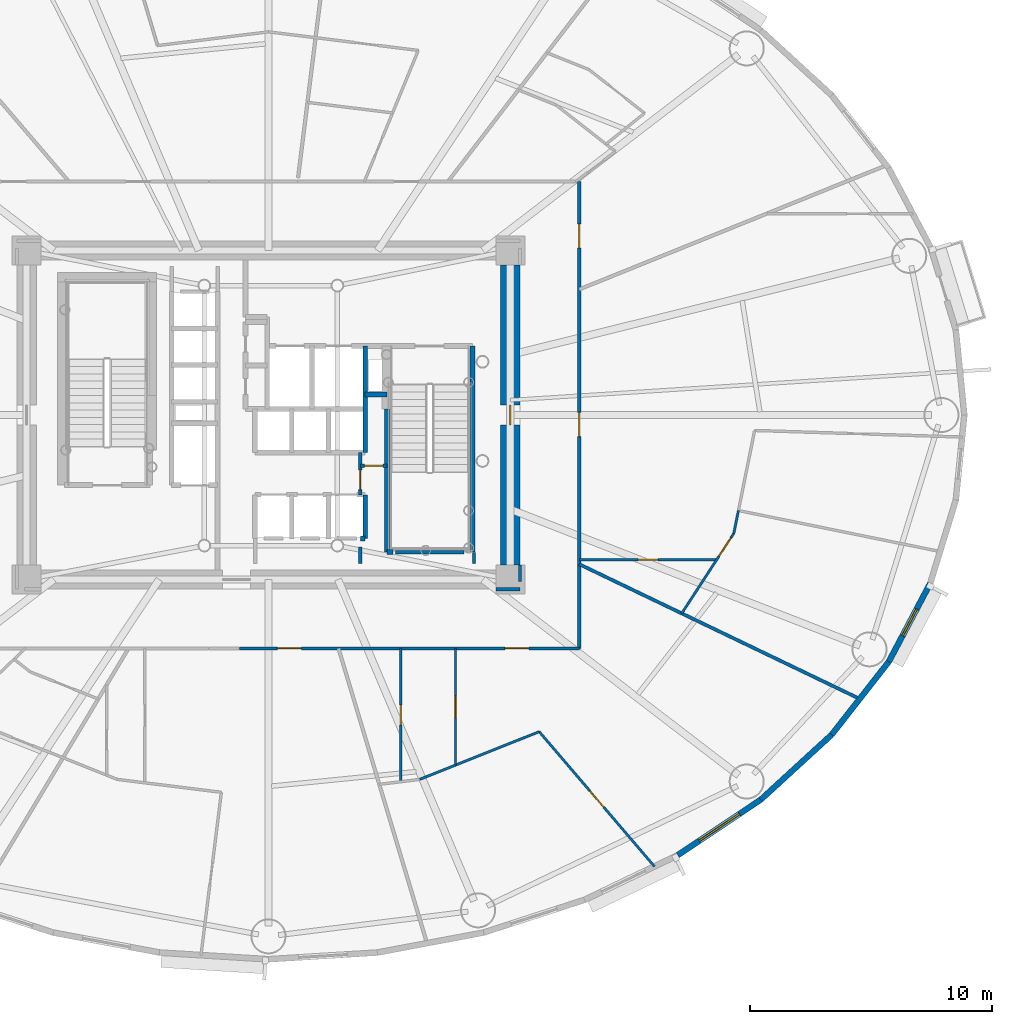
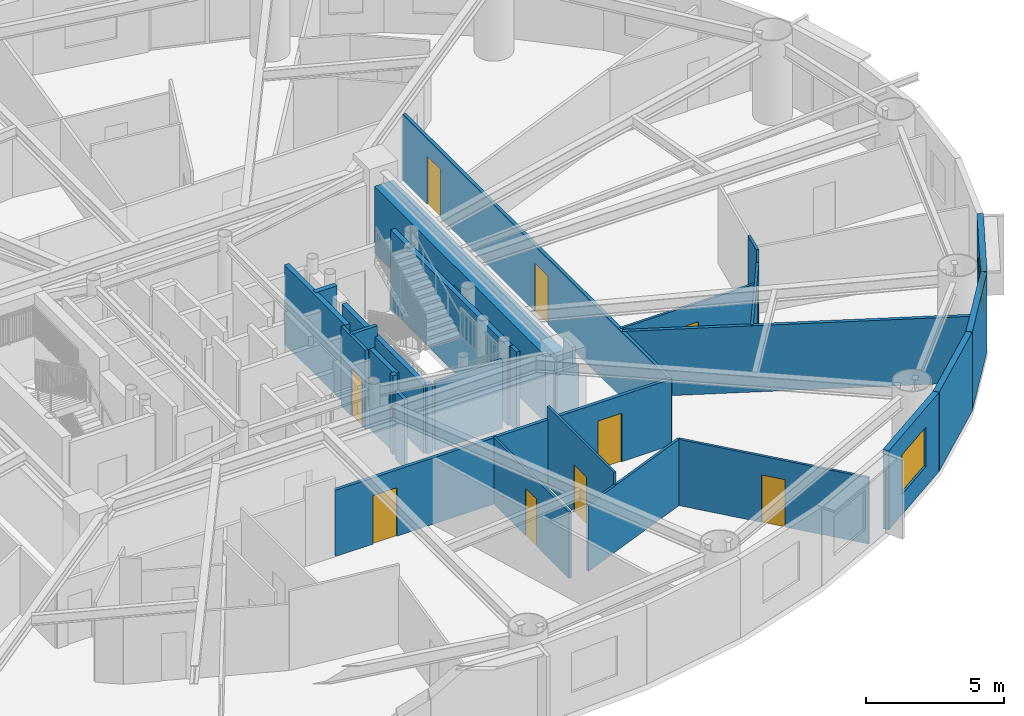
# One storey, part 9 of 18: 29 walls, 12 doors, 2 windows, 14 openings.
"""IFC4 building model written with IfcOpenShell, lengths in metres."""

from ifc_helpers import new_model, si_unit, direction, frame, frame_2d, origin, origin_2d, place, context, subcontext, project, spatial, rectangle, extrude, source, transform, mapped, material, layer, layer_set, type_object, element, fill, save


model = new_model("IFC4")

# Units and contexts
model_context = context("Model", 3, precision=1e-05, world=origin(), true_north=direction((0.0, 1.0)))
body_context = subcontext(model_context, "Body", "Model", "MODEL_VIEW")
ifc_project = project(units=[si_unit("LENGTHUNIT", "METRE"), si_unit("AREAUNIT", "SQUARE_METRE"), si_unit("VOLUMEUNIT", "CUBIC_METRE"), si_unit("PLANEANGLEUNIT", "RADIAN"), si_unit("MASSUNIT", "GRAM", prefix="KILO")], contexts=[model_context])

# Site, building, storey
site_placement = place(None, origin())
site = spatial("IfcSite", under=ifc_project, at=site_placement, CompositionType="ELEMENT")
building_placement = place(site_placement, origin())
building = spatial("IfcBuilding", under=site, at=building_placement, Name="Linh Dai School and Residence Tower", CompositionType="ELEMENT")
storey_placement = place(building_placement, frame((0.0, 0.0, 100.949951171875)))
storey = spatial("IfcBuildingStorey", under=building, at=storey_placement, Name="L23", CompositionType="ELEMENT", Elevation=100.949951171875)

# Wall, opening, window
ifc_material_1 = material(Name="Precast Concrete B45 (C35/45)", Category="concrete")
ifc_layer_1 = layer(ifc_material_1, 0.239990234375)
ifc_layer_set_1 = layer_set([ifc_layer_1], Name="Precast Concrete B45 (C35/45)")
wall_type_1 = type_object("IfcWallType", Name="EW-TC-240", PredefinedType="SOLIDWALL", material=ifc_layer_set_1)
wall_1_placement = place(storey_placement, frame((56.3583984375, 11.0966796875, 0.0), z_axis=(0.0, 0.0, 1.0), x_axis=(-0.831221811447, -0.555940914284, 0.0)))
wall_1 = element("IfcWall", 1, at=wall_1_placement, inside=storey, type_object=wall_type_1, Name="L23 Terracotta Exterior Wall 35", PredefinedType="SOLIDWALL", context=body_context, shape_type="SweptSolid", body=[
    extrude(rectangle(XDim=4.130126953125, YDim=0.239990234375, at=frame_2d((2.06494140625, 0.0))), origin(), (0.0, 0.0, 1.0), 3.5),
])
opening_1_placement = place(wall_1_placement, frame((1.065185546875, 0.0, 0.89990234375)))
opening_1 = element("IfcOpeningElement", 2, at=opening_1_placement, cuts=wall_1, Name="Opening W1", PredefinedType="OPENING", context=body_context, shape_type="SweptSolid", body=[
    extrude(rectangle(XDim=2.0, YDim=1.75, at=origin_2d()), frame((1.0, 0.1298828125, 0.875), z_axis=(0.0, -1.0, 0.0), x_axis=(1.0, 0.0, 0.0)), (0.0, 0.0, 1.0), 0.260009765625),
])
ifc_material_2 = material(Name="Double Low-E Insulated Glazing", Category="glass")
window_type_1 = type_object("IfcWindowType", Name="WN-RES-2000x1750", PartitioningType="DOUBLE_PANEL_VERTICAL", PredefinedType="WINDOW", material=ifc_material_2)
shared_shape_1 = source(origin(), body_context, "Body", "SweptSolid", [
    extrude(rectangle(XDim=2.0, YDim=1.75, at=origin_2d()), frame((1.0, 0.030029296875, 0.875), z_axis=(0.0, -1.0, 0.0), x_axis=(1.0, 0.0, 0.0)), (0.0, 0.0, 1.0), 0.06005859375),
])
window_1_placement = place(opening_1_placement, origin())
window_1 = element("IfcWindow", 3, at=window_1_placement, inside=storey, type_object=window_type_1, Name="L23 Exterior Window 35.1", OverallHeight=1.75, OverallWidth=2.0, PartitioningType="DOUBLE_PANEL_VERTICAL", PredefinedType="WINDOW", context=body_context, shape_type="MappedRepresentation", body=[
    mapped(shared_shape_1, transform((0.0, 0.0, 0.0), x_axis=(1.0, 0.0, 0.0), y_axis=(0.0, 1.0, 0.0), z_axis=(0.0, 0.0, 1.0), scale=1.0)),
])
fill(opening_1, window_1)

# Walls
wall_2_placement = place(storey_placement, frame((59.2890625, 13.783447265625, 0.0), z_axis=(0.0, 0.0, 1.0), x_axis=(-0.737113356241, -0.675769117414, 0.0)))
element("IfcWall", 4, at=wall_2_placement, inside=storey, type_object=wall_type_1, Name="L23 Terracotta Exterior Wall 36", PredefinedType="SOLIDWALL", context=body_context, shape_type="SweptSolid", body=[
    extrude(rectangle(XDim=3.975830078125, YDim=0.239990234375, at=frame_2d((1.98779296875, 0.0))), origin(), (0.0, 0.0, 1.0), 3.5),
])
wall_3_placement = place(storey_placement, frame((61.645263671875, 16.79443359375, 0.0), z_axis=(0.0, 0.0, 1.0), x_axis=(-0.616272103517, -0.787533297345, 0.0)))
element("IfcWall", 5, at=wall_3_placement, inside=storey, type_object=wall_type_1, Name="L23 Terracotta Exterior Wall 37", PredefinedType="SOLIDWALL", context=body_context, shape_type="SweptSolid", body=[
    extrude(rectangle(XDim=3.8232421875, YDim=0.239990234375, at=frame_2d((1.91162109375, 0.0))), origin(), (0.0, 0.0, 1.0), 3.5),
])

# Wall, opening, window
wall_4_placement = place(storey_placement, frame((63.3701171875, 20.054931640625, 0.0), z_axis=(0.0, 0.0, 1.0), x_axis=(-0.467614004126, -0.883932770716, 0.0)))
wall_4 = element("IfcWall", 6, at=wall_4_placement, inside=storey, type_object=wall_type_1, Name="L23 Terracotta Exterior Wall 38", PredefinedType="SOLIDWALL", context=body_context, shape_type="SweptSolid", body=[
    extrude(rectangle(XDim=3.688720703125, YDim=0.239990234375, at=frame_2d((1.84423828125, 0.0))), origin(), (0.0, 0.0, 1.0), 3.5),
])
opening_2_placement = place(wall_4_placement, frame((1.21923828125, 0.0, 0.89990234375)))
opening_2 = element("IfcOpeningElement", 7, at=opening_2_placement, cuts=wall_4, Name="Opening W3", PredefinedType="OPENING", context=body_context, shape_type="SweptSolid", body=[
    extrude(rectangle(XDim=1.25, YDim=1.64990234375, at=origin_2d()), frame((0.625, 0.1298828125, 0.824951171875), z_axis=(0.0, -1.0, 0.0), x_axis=(1.0, 0.0, 0.0)), (0.0, 0.0, 1.0), 0.260009765625),
])
window_type_2 = type_object("IfcWindowType", Name="WN-RES-1250x1650", PartitioningType="SINGLE_PANEL", PredefinedType="WINDOW", material=ifc_material_2)
shared_shape_2 = source(origin(), body_context, "Body", "SweptSolid", [
    extrude(rectangle(XDim=1.25, YDim=1.64990234375, at=origin_2d()), frame((0.625, 0.030029296875, 0.824951171875), z_axis=(0.0, -1.0, 0.0), x_axis=(1.0, 0.0, 0.0)), (0.0, 0.0, 1.0), 0.06005859375),
])
window_2_placement = place(opening_2_placement, origin())
window_2 = element("IfcWindow", 8, at=window_2_placement, inside=storey, type_object=window_type_2, Name="L23 Dwelling Window U2309-BD1", OverallHeight=1.64990234375, OverallWidth=1.25, PartitioningType="SINGLE_PANEL", PredefinedType="WINDOW", context=body_context, shape_type="MappedRepresentation", body=[
    mapped(shared_shape_2, transform((0.0, 0.0, 0.0), x_axis=(1.0, 0.0, 0.0), y_axis=(0.0, 1.0, 0.0), z_axis=(0.0, 0.0, 1.0), scale=1.0)),
])
fill(opening_2, window_2)

# Wall, openings, doors
ifc_material_3 = material(Name="Autoclaved Aerated Concrete Blockwork", Category="masonry")
ifc_layer_2 = layer(ifc_material_3, 0.135009765625)
ifc_layer_set_2 = layer_set([ifc_layer_2], Name="Autoclaved Aerated Concrete Blockwork")
wall_type_2 = type_object("IfcWallType", Name="IW-CORR-135-EI90", PredefinedType="PARTITIONING", material=ifc_layer_set_2)
wall_5_placement = place(storey_placement, frame((34.794921875, 17.35009765625, 0.0), z_axis=(0.0, 0.0, 1.0), x_axis=(1.0, 0.0, 0.0)))
wall_5 = element("IfcWall", 9, at=wall_5_placement, inside=storey, type_object=wall_type_2, Name="L23 Interior Partition Wall 041", PredefinedType="PARTITIONING", context=body_context, shape_type="SweptSolid", body=[
    extrude(rectangle(XDim=14.05517578125, YDim=0.135009765625, at=frame_2d((7.027587890625, 0.0))), origin(), (0.0, 0.0, 1.0), 2.93505859375),
])
opening_3_placement = place(wall_5_placement, frame((1.570556640625, 0.0, 0.0)))
opening_3 = element("IfcOpeningElement", 10, at=opening_3_placement, cuts=wall_5, Name="Opening D03", PredefinedType="OPENING", context=body_context, shape_type="SweptSolid", body=[
    extrude(rectangle(XDim=1.0, YDim=2.14990234375, at=origin_2d()), frame((0.5, 0.07763671875, 1.074951171875), z_axis=(0.0, -1.0, 0.0), x_axis=(1.0, 0.0, 0.0)), (0.0, 0.0, 1.0), 0.155029296875),
])
opening_4_placement = place(wall_5_placement, frame((10.97607421875, 0.0, 0.0)))
opening_4 = element("IfcOpeningElement", 11, at=opening_4_placement, cuts=wall_5, Name="Opening D03", PredefinedType="OPENING", context=body_context, shape_type="SweptSolid", body=[
    extrude(rectangle(XDim=1.0, YDim=2.14990234375, at=origin_2d()), frame((0.5, 0.07763671875, 1.074951171875), z_axis=(0.0, -1.0, 0.0), x_axis=(1.0, 0.0, 0.0)), (0.0, 0.0, 1.0), 0.155029296875),
])
ifc_material_4 = material(Name="Fire-Rated Solid Timber Entrance Door", Category="wood")
door_type_1 = type_object("IfcDoorType", Name="DR-FLAT-1000x2150-FD60S", OperationType="NOTDEFINED", PredefinedType="DOOR", material=ifc_material_4)
shared_shape_3 = source(origin(), body_context, "Body", "SweptSolid", [
    extrude(rectangle(XDim=1.0, YDim=2.14990234375, at=origin_2d()), frame((0.5, 0.02490234375, 1.074951171875), z_axis=(0.0, -1.0, 0.0), x_axis=(1.0, 0.0, 0.0)), (0.0, 0.0, 1.0), 0.050048828125),
])
door_1_placement = place(opening_3_placement, origin())
door_1 = element("IfcDoor", 12, at=door_1_placement, inside=storey, type_object=door_type_1, Name="L23 U2307 Apartment Entrance Door", OperationType="SINGLE_SWING_LEFT", OverallHeight=2.14990234375, OverallWidth=1.0, PredefinedType="DOOR", context=body_context, shape_type="MappedRepresentation", body=[
    mapped(shared_shape_3, transform((0.0, 0.0, 0.0), x_axis=(1.0, 0.0, 0.0), y_axis=(0.0, 1.0, 0.0), z_axis=(0.0, 0.0, 1.0), scale=1.0)),
])
fill(opening_3, door_1)
door_2_placement = place(opening_4_placement, origin())
door_2 = element("IfcDoor", 13, at=door_2_placement, inside=storey, type_object=door_type_1, Name="L23 U2308 Apartment Entrance Door", OperationType="SINGLE_SWING_LEFT", OverallHeight=2.14990234375, OverallWidth=1.0, PredefinedType="DOOR", context=body_context, shape_type="MappedRepresentation", body=[
    mapped(shared_shape_3, transform((0.0, 0.0, 0.0), x_axis=(1.0, 0.0, 0.0), y_axis=(0.0, 1.0, 0.0), z_axis=(0.0, 0.0, 1.0), scale=1.0)),
])
fill(opening_4, door_2)

# Wall, opening, door
wall_6_placement = place(storey_placement, frame((39.800048828125, 23.699951171875, 0.0), z_axis=(0.0, 0.0, 1.0), x_axis=(0.0, 1.0, 0.0)))
wall_6 = element("IfcWall", 14, at=wall_6_placement, inside=storey, type_object=wall_type_2, Name="L23 Interior Partition Wall 065", PredefinedType="PARTITIONING", context=body_context, shape_type="SweptSolid", body=[
    extrude(rectangle(XDim=1.75, YDim=0.135009765625, at=frame_2d((0.875, 0.0))), origin(), (0.0, 0.0, 1.0), 3.5),
])
opening_5_placement = place(wall_6_placement, frame((0.2099609375, 0.0, 0.0)))
opening_5 = element("IfcOpeningElement", 15, at=opening_5_placement, cuts=wall_6, Name="Opening D06", PredefinedType="OPENING", context=body_context, shape_type="SweptSolid", body=[
    extrude(rectangle(XDim=0.820068359375, YDim=2.10009765625, at=origin_2d()), frame((0.41015625, 0.07763671875, 1.050048828125), z_axis=(0.0, -1.0, 0.0), x_axis=(1.0, 0.0, 0.0)), (0.0, 0.0, 1.0), 0.155029296875),
])
ifc_material_5 = material(Name="Moisture-Resistant Timber Bathroom Door", Category="wood")
door_type_2 = type_object("IfcDoorType", Name="DR-WET-820x2100", OperationType="NOTDEFINED", PredefinedType="DOOR", material=ifc_material_5)
shared_shape_4 = source(origin(), body_context, "Body", "SweptSolid", [
    extrude(rectangle(XDim=0.820068359375, YDim=2.10009765625, at=origin_2d()), frame((0.41015625, 0.02490234375, 1.050048828125), z_axis=(0.0, -1.0, 0.0), x_axis=(1.0, 0.0, 0.0)), (0.0, 0.0, 1.0), 0.050048828125),
])
door_3_placement = place(opening_5_placement, origin())
door_3 = element("IfcDoor", 16, at=door_3_placement, inside=storey, type_object=door_type_2, Name="L23 SE Metering Closet Door", OperationType="SINGLE_SWING_RIGHT", OverallHeight=2.10009765625, OverallWidth=0.820068359375, PredefinedType="DOOR", context=body_context, shape_type="MappedRepresentation", body=[
    mapped(shared_shape_4, transform((0.0, 0.0, 0.0), x_axis=(1.0, 0.0, 0.0), y_axis=(0.0, 1.0, 0.0), z_axis=(0.0, 0.0, 1.0), scale=1.0)),
])
fill(opening_5, door_3)

# Wall, openings, doors
wall_7_placement = place(storey_placement, frame((48.85009765625, 17.35009765625, 0.0), z_axis=(0.0, 0.0, 1.0), x_axis=(0.0, 1.0, 0.0)))
wall_7 = element("IfcWall", 17, at=wall_7_placement, inside=storey, type_object=wall_type_2, Name="L23 Interior Partition Wall 084", PredefinedType="PARTITIONING", context=body_context, shape_type="SweptSolid", body=[
    extrude(rectangle(XDim=19.2998046875, YDim=0.135009765625, at=frame_2d((9.64990234375, 0.0))), origin(), (0.0, 0.0, 1.0), 2.93505859375),
])
opening_6_placement = place(wall_7_placement, frame((16.55078125, 0.0, 0.0)))
opening_6 = element("IfcOpeningElement", 18, at=opening_6_placement, cuts=wall_7, Name="Opening D03", PredefinedType="OPENING", context=body_context, shape_type="SweptSolid", body=[
    extrude(rectangle(XDim=1.0, YDim=2.14990234375, at=origin_2d()), frame((0.5, 0.07763671875, 1.074951171875), z_axis=(0.0, -1.0, 0.0), x_axis=(1.0, 0.0, 0.0)), (0.0, 0.0, 1.0), 0.155029296875),
])
opening_7_placement = place(wall_7_placement, frame((8.752685546875, 0.0, 0.0)))
opening_7 = element("IfcOpeningElement", 19, at=opening_7_placement, cuts=wall_7, Name="Opening D03", PredefinedType="OPENING", context=body_context, shape_type="SweptSolid", body=[
    extrude(rectangle(XDim=1.0, YDim=2.14990234375, at=origin_2d()), frame((0.5, 0.07763671875, 1.074951171875), z_axis=(0.0, -1.0, 0.0), x_axis=(1.0, 0.0, 0.0)), (0.0, 0.0, 1.0), 0.155029296875),
])
door_4_placement = place(opening_6_placement, origin())
door_4 = element("IfcDoor", 20, at=door_4_placement, inside=storey, type_object=door_type_1, Name="L23 U2301 Apartment Entrance Door", OperationType="SINGLE_SWING_RIGHT", OverallHeight=2.14990234375, OverallWidth=1.0, PredefinedType="DOOR", context=body_context, shape_type="MappedRepresentation", body=[
    mapped(shared_shape_3, transform((0.0, 0.0, 0.0), x_axis=(1.0, 0.0, 0.0), y_axis=(0.0, 1.0, 0.0), z_axis=(0.0, 0.0, 1.0), scale=1.0)),
])
fill(opening_6, door_4)
door_5_placement = place(opening_7_placement, origin())
door_5 = element("IfcDoor", 21, at=door_5_placement, inside=storey, type_object=door_type_1, Name="L23 U2309 Apartment Entrance Door", OperationType="SINGLE_SWING_LEFT", OverallHeight=2.14990234375, OverallWidth=1.0, PredefinedType="DOOR", context=body_context, shape_type="MappedRepresentation", body=[
    mapped(shared_shape_3, transform((0.0, 0.0, 0.0), x_axis=(1.0, 0.0, 0.0), y_axis=(0.0, 1.0, 0.0), z_axis=(0.0, 0.0, 1.0), scale=1.0)),
])
fill(opening_7, door_5)

# Walls
wall_8_placement = place(storey_placement, frame((48.85009765625, 20.830322265625, 0.0), z_axis=(0.0, 0.0, 1.0), x_axis=(0.901472427533, -0.432836530803, 0.0)))
element("IfcWall", 22, at=wall_8_placement, inside=storey, type_object=wall_type_2, Name="L23 Interior Partition Wall 085", PredefinedType="PARTITIONING", context=body_context, shape_type="SweptSolid", body=[
    extrude(rectangle(XDim=12.86865234375, YDim=0.135009765625, at=frame_2d((6.434326171875, 0.0))), origin(), (0.0, 0.0, 1.0), 2.93505859375),
])
wall_9_placement = place(storey_placement, frame((44.080078125, 21.330078125, 0.0), z_axis=(0.0, 0.0, 1.0), x_axis=(-1.0, 0.0, 0.0)))
element("IfcWall", 23, at=wall_9_placement, inside=storey, type_object=wall_type_2, Name="L23 Interior Partition Wall 096", PredefinedType="PARTITIONING", context=body_context, shape_type="SweptSolid", body=[
    extrude(rectangle(XDim=2.820068359375, YDim=0.135009765625, at=frame_2d((1.41015625, 0.0))), origin(), (0.0, 0.0, 1.0), 3.03515625),
])
wall_10_placement = place(storey_placement, frame((39.800048828125, 20.860107421875, 0.0), z_axis=(0.0, 0.0, 1.0), x_axis=(0.0, 1.0, 0.0)))
element("IfcWall", 24, at=wall_10_placement, inside=storey, type_object=wall_type_2, Name="L23 Interior Partition Wall 101", PredefinedType="PARTITIONING", context=body_context, shape_type="SweptSolid", body=[
    extrude(rectangle(XDim=0.679931640625, YDim=0.135009765625, at=frame_2d((0.33984375, 0.0))), origin(), (0.0, 0.0, 1.0), 3.03515625),
])
wall_11_placement = place(storey_placement, frame((44.5, 20.860107421875, 0.0), z_axis=(0.0, 0.0, 1.0), x_axis=(0.0, 1.0, 0.0)))
element("IfcWall", 25, at=wall_11_placement, inside=storey, type_object=wall_type_2, Name="L23 Interior Partition Wall 103", PredefinedType="PARTITIONING", context=body_context, shape_type="SweptSolid", body=[
    extrude(rectangle(XDim=0.4599609375, YDim=0.135009765625, at=frame_2d((0.22998046875, 0.0))), origin(), (0.0, 0.0, 1.0), 3.5),
])
wall_12_placement = place(storey_placement, frame((45.409912109375, 19.800048828125, 0.0), z_axis=(0.0, 0.0, 1.0), x_axis=(1.0, 0.0, 0.0)))
element("IfcWall", 26, at=wall_12_placement, inside=storey, type_object=wall_type_2, Name="L23 Interior Partition Wall 113", PredefinedType="PARTITIONING", context=body_context, shape_type="SweptSolid", body=[
    extrude(rectangle(XDim=0.989990234375, YDim=0.135009765625, at=frame_2d((0.4951171875, 0.0))), origin(), (0.0, 0.0, 1.0), 2.93505859375),
])
wall_13_placement = place(storey_placement, frame((46.39990234375, 20.107421875, 0.0), z_axis=(0.0, 0.0, 1.0), x_axis=(0.0, 1.0, 0.0)))
element("IfcWall", 27, at=wall_13_placement, inside=storey, type_object=wall_type_2, Name="L23 Interior Partition Wall 114", PredefinedType="PARTITIONING", context=body_context, shape_type="SweptSolid", body=[
    extrude(rectangle(XDim=0.6826171875, YDim=0.135009765625, at=frame_2d((0.34130859375, 0.0))), origin(), (0.0, 0.0, 1.0), 3.5),
])

# Wall, opening, door
ifc_layer_3 = layer(ifc_material_3, 0.14990234375)
ifc_layer_set_3 = layer_set([ifc_layer_3], Name="Autoclaved Aerated Concrete Blockwork")
wall_type_3 = type_object("IfcWallType", Name="IW-SCH-150-EI60", PredefinedType="PARTITIONING", material=ifc_layer_set_3)
wall_14_placement = place(storey_placement, frame((39.800048828125, 24.89990234375, 0.0), z_axis=(0.0, 0.0, 1.0), x_axis=(1.0, 0.0, 0.0)))
wall_14 = element("IfcWall", 28, at=wall_14_placement, inside=storey, type_object=wall_type_3, Name="L23 Interior Partition Wall 066", PredefinedType="PARTITIONING", context=body_context, shape_type="SweptSolid", body=[
    extrude(rectangle(XDim=1.099853515625, YDim=0.14990234375, at=frame_2d((0.5498046875, 0.0))), origin(), (0.0, 0.0, 1.0), 3.5),
])
opening_8_placement = place(wall_14_placement, frame((0.169921875, 0.0, 0.0)))
opening_8 = element("IfcOpeningElement", 29, at=opening_8_placement, cuts=wall_14, Name="Opening D08", PredefinedType="OPENING", context=body_context, shape_type="SweptSolid", body=[
    extrude(rectangle(XDim=0.760009765625, YDim=2.10009765625, at=origin_2d()), frame((0.3798828125, 0.0849609375, 1.050048828125), z_axis=(0.0, -1.0, 0.0), x_axis=(1.0, 0.0, 0.0)), (0.0, 0.0, 1.0), 0.169921875),
])
ifc_material_6 = material(Name="Engineered Timber Closet and Study Door", Category="wood")
door_type_3 = type_object("IfcDoorType", Name="DR-CMP-760x2100", OperationType="NOTDEFINED", PredefinedType="DOOR", material=ifc_material_6)
shared_shape_5 = source(origin(), body_context, "Body", "SweptSolid", [
    extrude(rectangle(XDim=0.760009765625, YDim=2.10009765625, at=origin_2d()), frame((0.3798828125, 0.02490234375, 1.050048828125), z_axis=(0.0, -1.0, 0.0), x_axis=(1.0, 0.0, 0.0)), (0.0, 0.0, 1.0), 0.050048828125),
])
door_6_placement = place(opening_8_placement, origin())
door_6 = element("IfcDoor", 30, at=door_6_placement, inside=storey, type_object=door_type_3, Name="L23 NE Cleaners Store Door", OperationType="SINGLE_SWING_LEFT", OverallHeight=2.10009765625, OverallWidth=0.760009765625, PredefinedType="DOOR", context=body_context, shape_type="MappedRepresentation", body=[
    mapped(shared_shape_5, transform((0.0, 0.0, 0.0), x_axis=(1.0, 0.0, 0.0), y_axis=(0.0, 1.0, 0.0), z_axis=(0.0, 0.0, 1.0), scale=1.0)),
])
fill(opening_8, door_6)

# Walls
ifc_material_7 = material(Name="Concrete B45 (C35/45)", Category="concrete")
ifc_layer_4 = layer(ifc_material_7, 0.199951171875)
ifc_layer_set_4 = layer_set([ifc_layer_4], Name="Concrete B45 (C35/45)")
wall_type_4 = type_object("IfcWallType", Name="IW-SHAFT-200-EI120", PredefinedType="PARTITIONING", material=ifc_layer_set_4)
wall_15_placement = place(storey_placement, frame((39.800048828125, 21.89990234375, 0.0), z_axis=(0.0, 0.0, 1.0), x_axis=(1.0, 0.0, 0.0)))
element("IfcWall", 31, at=wall_15_placement, inside=storey, type_object=wall_type_4, Name="L23 Interior Partition Wall 064", PredefinedType="PARTITIONING", context=body_context, shape_type="SweptSolid", body=[
    extrude(rectangle(XDim=0.199951171875, YDim=0.199951171875, at=frame_2d((0.10009765625, 0.0))), origin(), (0.0, 0.0, 1.0), 3.5),
])
wall_16_placement = place(storey_placement, frame((40.0, 21.89990234375, 0.0), z_axis=(0.0, 0.0, 1.0), x_axis=(0.0, 1.0, 0.0)))
element("IfcWall", 32, at=wall_16_placement, inside=storey, type_object=wall_type_4, Name="L23 Interior Partition Wall 068", PredefinedType="PARTITIONING", context=body_context, shape_type="SweptSolid", body=[
    extrude(rectangle(XDim=1.800048828125, YDim=0.199951171875, at=frame_2d((0.89990234375, 0.0))), origin(), (0.0, 0.0, 1.0), 3.5),
])
wall_17_placement = place(storey_placement, frame((40.0, 25.449951171875, 0.0), z_axis=(0.0, 0.0, 1.0), x_axis=(0.0, 1.0, 0.0)))
element("IfcWall", 33, at=wall_17_placement, inside=storey, type_object=wall_type_4, Name="L23 Interior Partition Wall 069", PredefinedType="PARTITIONING", context=body_context, shape_type="SweptSolid", body=[
    extrude(rectangle(XDim=4.400146484375, YDim=0.199951171875, at=frame_2d((2.2001953125, 0.0))), origin(), (0.0, 0.0, 1.0), 3.5),
])
wall_18_placement = place(storey_placement, frame((40.0, 27.85009765625, 0.0), z_axis=(0.0, 0.0, 1.0), x_axis=(1.0, 0.0, 0.0)))
element("IfcWall", 34, at=wall_18_placement, inside=storey, type_object=wall_type_4, Name="L23 Interior Partition Wall 070", PredefinedType="PARTITIONING", context=body_context, shape_type="SweptSolid", body=[
    extrude(rectangle(XDim=0.89990234375, YDim=0.199951171875, at=frame_2d((0.449951171875, 0.0))), origin(), (0.0, 0.0, 1.0), 3.5),
])
wall_19_placement = place(storey_placement, frame((40.89990234375, 21.330078125, 0.0), z_axis=(0.0, 0.0, 1.0), x_axis=(0.0, 1.0, 0.0)))
element("IfcWall", 35, at=wall_19_placement, inside=storey, type_object=wall_type_4, Name="L23 Interior Partition Wall 072", PredefinedType="PARTITIONING", context=body_context, shape_type="SweptSolid", body=[
    extrude(rectangle(XDim=5.909912109375, YDim=0.199951171875, at=frame_2d((2.955078125, 0.0))), origin(), (0.0, 0.0, 1.0), 3.03515625),
])
wall_20_placement = place(storey_placement, frame((40.89990234375, 21.330078125, 0.0), z_axis=(0.0, 0.0, 1.0), x_axis=(1.0, 0.0, 0.0)))
element("IfcWall", 36, at=wall_20_placement, inside=storey, type_object=wall_type_4, Name="L23 Interior Partition Wall 073", PredefinedType="PARTITIONING", context=body_context, shape_type="SweptSolid", body=[
    extrude(rectangle(XDim=0.25, YDim=0.199951171875, at=frame_2d((0.125, 0.0))), origin(), (0.0, 0.0, 1.0), 3.03515625),
])
wall_21_placement = place(storey_placement, frame((44.43994140625, 21.330078125, 0.0), z_axis=(0.0, 0.0, 1.0), x_axis=(0.0, 1.0, 0.0)))
element("IfcWall", 37, at=wall_21_placement, inside=storey, type_object=wall_type_4, Name="L23 Interior Partition Wall 078", PredefinedType="PARTITIONING", context=body_context, shape_type="SweptSolid", body=[
    extrude(rectangle(XDim=8.52001953125, YDim=0.199951171875, at=frame_2d((4.260009765625, 0.0))), origin(), (0.0, 0.0, 1.0), 3.5),
])

# Wall, opening, door
ifc_material_8 = material(Name="Gypsum Plasterboard Acoustic Stud Partition", Category="masonry")
ifc_layer_5 = layer(ifc_material_8, 0.10009765625)
ifc_layer_set_5 = layer_set([ifc_layer_5], Name="Gypsum Plasterboard Acoustic Stud Partition")
wall_type_5 = type_object("IfcWallType", Name="IW-UNIT-100", PredefinedType="PARTITIONING", material=ifc_layer_set_5)
wall_22_placement = place(storey_placement, frame((41.468505859375, 11.837158203125, 0.0), z_axis=(0.0, 0.0, 1.0), x_axis=(0.0, 1.0, 0.0)))
wall_22 = element("IfcWall", 38, at=wall_22_placement, inside=storey, type_object=wall_type_5, Name="L23 Interior Partition Wall 074", PredefinedType="PARTITIONING", context=body_context, shape_type="SweptSolid", body=[
    extrude(rectangle(XDim=5.512939453125, YDim=0.10009765625, at=frame_2d((2.75634765625, 0.0))), origin(), (0.0, 0.0, 1.0), 2.93505859375),
])
opening_9_placement = place(wall_22_placement, frame((2.346435546875, 0.0, 0.0)))
opening_9 = element("IfcOpeningElement", 39, at=opening_9_placement, cuts=wall_22, Name="Opening D06", PredefinedType="OPENING", context=body_context, shape_type="SweptSolid", body=[
    extrude(rectangle(XDim=0.820068359375, YDim=2.10009765625, at=origin_2d()), frame((0.41015625, 0.06005859375, 1.050048828125), z_axis=(0.0, -1.0, 0.0), x_axis=(1.0, 0.0, 0.0)), (0.0, 0.0, 1.0), 0.1201171875),
])
door_7_placement = place(opening_9_placement, origin())
door_7 = element("IfcDoor", 40, at=door_7_placement, inside=storey, type_object=door_type_2, Name="L23 Apartment U2308 Bathroom 1 Door", OperationType="SINGLE_SWING_RIGHT", OverallHeight=2.10009765625, OverallWidth=0.820068359375, PredefinedType="DOOR", context=body_context, shape_type="MappedRepresentation", body=[
    mapped(shared_shape_4, transform((0.0, 0.0, 0.0), x_axis=(1.0, 0.0, 0.0), y_axis=(0.0, 1.0, 0.0), z_axis=(0.0, 0.0, 1.0), scale=1.0)),
])
fill(opening_9, door_7)

# Wall
wall_23_placement = place(storey_placement, frame((42.25146484375, 11.934326171875, 0.0), z_axis=(0.0, 0.0, 1.0), x_axis=(0.928805351872, 0.370567967226, 0.0)))
element("IfcWall", 41, at=wall_23_placement, inside=storey, type_object=wall_type_5, Name="L23 Interior Partition Wall 075", PredefinedType="PARTITIONING", context=body_context, shape_type="SweptSolid", body=[
    extrude(rectangle(XDim=5.322021484375, YDim=0.10009765625, at=frame_2d((2.6611328125, 0.0))), origin(), (0.0, 0.0, 1.0), 2.93505859375),
])

# Wall, opening, door
wall_24_placement = place(storey_placement, frame((43.73193359375, 12.525146484375, 0.0), z_axis=(0.0, 0.0, 1.0), x_axis=(0.0, 1.0, 0.0)))
wall_24 = element("IfcWall", 42, at=wall_24_placement, inside=storey, type_object=wall_type_5, Name="L23 Interior Partition Wall 077", PredefinedType="PARTITIONING", context=body_context, shape_type="SweptSolid", body=[
    extrude(rectangle(XDim=4.824951171875, YDim=0.10009765625, at=frame_2d((2.41259765625, 0.0))), origin(), (0.0, 0.0, 1.0), 3.5),
])
opening_10_placement = place(wall_24_placement, frame((1.96240234375, 0.0, 0.0)))
opening_10 = element("IfcOpeningElement", 43, at=opening_10_placement, cuts=wall_24, Name="Opening D05", PredefinedType="OPENING", context=body_context, shape_type="SweptSolid", body=[
    extrude(rectangle(XDim=0.89990234375, YDim=2.10009765625, at=origin_2d()), frame((0.449951171875, 0.06005859375, 1.050048828125), z_axis=(0.0, -1.0, 0.0), x_axis=(1.0, 0.0, 0.0)), (0.0, 0.0, 1.0), 0.1201171875),
])
ifc_material_9 = material(Name="Engineered Timber Internal Door", Category="wood")
door_type_4 = type_object("IfcDoorType", Name="DR-INT-900x2100", OperationType="NOTDEFINED", PredefinedType="DOOR", material=ifc_material_9)
shared_shape_6 = source(origin(), body_context, "Body", "SweptSolid", [
    extrude(rectangle(XDim=0.89990234375, YDim=2.10009765625, at=origin_2d()), frame((0.449951171875, 0.02490234375, 1.050048828125), z_axis=(0.0, -1.0, 0.0), x_axis=(1.0, 0.0, 0.0)), (0.0, 0.0, 1.0), 0.050048828125),
])
door_8_placement = place(opening_10_placement, origin())
door_8 = element("IfcDoor", 44, at=door_8_placement, inside=storey, type_object=door_type_4, Name="L23 Apartment U2308 Kitchen Door", OperationType="SINGLE_SWING_LEFT", OverallHeight=2.10009765625, OverallWidth=0.89990234375, PredefinedType="DOOR", context=body_context, shape_type="MappedRepresentation", body=[
    mapped(shared_shape_6, transform((0.0, 0.0, 0.0), x_axis=(1.0, 0.0, 0.0), y_axis=(0.0, 1.0, 0.0), z_axis=(0.0, 0.0, 1.0), scale=1.0)),
])
fill(opening_10, door_8)

wall_25_placement = place(storey_placement, frame((47.194580078125, 13.906494140625, 0.0), z_axis=(0.0, 0.0, 1.0), x_axis=(0.649828611722, -0.76008076899, 0.0)))
wall_25 = element("IfcWall", 45, at=wall_25_placement, inside=storey, type_object=wall_type_5, Name="L23 Interior Partition Wall 080", PredefinedType="PARTITIONING", context=body_context, shape_type="SweptSolid", body=[
    extrude(rectangle(XDim=7.333984375, YDim=0.10009765625, at=frame_2d((3.6669921875, 0.0))), origin(), (0.0, 0.0, 1.0), 2.93505859375),
])
opening_11_placement = place(wall_25_placement, frame((3.217041015625, 0.0, 0.0)))
opening_11 = element("IfcOpeningElement", 46, at=opening_11_placement, cuts=wall_25, Name="Opening D05", PredefinedType="OPENING", context=body_context, shape_type="SweptSolid", body=[
    extrude(rectangle(XDim=0.89990234375, YDim=2.10009765625, at=origin_2d()), frame((0.449951171875, 0.06005859375, 1.050048828125), z_axis=(0.0, -1.0, 0.0), x_axis=(1.0, 0.0, 0.0)), (0.0, 0.0, 1.0), 0.1201171875),
])
door_9_placement = place(opening_11_placement, origin())
door_9 = element("IfcDoor", 47, at=door_9_placement, inside=storey, type_object=door_type_4, Name="L23 Apartment U2308 Principal Bedroom 1 Door", OperationType="SINGLE_SWING_RIGHT", OverallHeight=2.10009765625, OverallWidth=0.89990234375, PredefinedType="DOOR", context=body_context, shape_type="MappedRepresentation", body=[
    mapped(shared_shape_6, transform((0.0, 0.0, 0.0), x_axis=(1.0, 0.0, 0.0), y_axis=(0.0, 1.0, 0.0), z_axis=(0.0, 0.0, 1.0), scale=1.0)),
])
fill(opening_11, door_9)

wall_26_placement = place(storey_placement, frame((48.85009765625, 21.013671875, 0.0), z_axis=(0.0, 0.0, 1.0), x_axis=(1.0, 0.0, 0.0)))
wall_26 = element("IfcWall", 48, at=wall_26_placement, inside=storey, type_object=wall_type_5, Name="L23 Interior Partition Wall 086", PredefinedType="PARTITIONING", context=body_context, shape_type="SweptSolid", body=[
    extrude(rectangle(XDim=5.6796875, YDim=0.10009765625, at=frame_2d((2.83984375, 0.0))), origin(), (0.0, 0.0, 1.0), 2.93505859375),
])
opening_12_placement = place(wall_26_placement, frame((2.429931640625, 0.0, 0.0)))
opening_12 = element("IfcOpeningElement", 49, at=opening_12_placement, cuts=wall_26, Name="Opening D06", PredefinedType="OPENING", context=body_context, shape_type="SweptSolid", body=[
    extrude(rectangle(XDim=0.820068359375, YDim=2.10009765625, at=origin_2d()), frame((0.41015625, 0.06005859375, 1.050048828125), z_axis=(0.0, -1.0, 0.0), x_axis=(1.0, 0.0, 0.0)), (0.0, 0.0, 1.0), 0.1201171875),
])
door_10_placement = place(opening_12_placement, origin())
door_10 = element("IfcDoor", 50, at=door_10_placement, inside=storey, type_object=door_type_2, Name="L23 Apartment U2309 Bathroom 1 Door", OperationType="SINGLE_SWING_RIGHT", OverallHeight=2.10009765625, OverallWidth=0.820068359375, PredefinedType="DOOR", context=body_context, shape_type="MappedRepresentation", body=[
    mapped(shared_shape_4, transform((0.0, 0.0, 0.0), x_axis=(1.0, 0.0, 0.0), y_axis=(0.0, 1.0, 0.0), z_axis=(0.0, 0.0, 1.0), scale=1.0)),
])
fill(opening_12, door_10)

wall_27_placement = place(storey_placement, frame((53.0869140625, 18.796142578125, 0.0), z_axis=(0.0, 0.0, 1.0), x_axis=(0.545403476424, 0.838173638278, 0.0)))
wall_27 = element("IfcWall", 51, at=wall_27_placement, inside=storey, type_object=wall_type_5, Name="L23 Interior Partition Wall 090", PredefinedType="PARTITIONING", context=body_context, shape_type="SweptSolid", body=[
    extrude(rectangle(XDim=3.94775390625, YDim=0.10009765625, at=frame_2d((1.973876953125, 0.0))), origin(), (0.0, 0.0, 1.0), 2.93505859375),
])
opening_13_placement = place(wall_27_placement, frame((2.82666015625, 0.0, 0.0)))
opening_13 = element("IfcOpeningElement", 52, at=opening_13_placement, cuts=wall_27, Name="Opening D05", PredefinedType="OPENING", context=body_context, shape_type="SweptSolid", body=[
    extrude(rectangle(XDim=0.89990234375, YDim=2.10009765625, at=origin_2d()), frame((0.449951171875, 0.06005859375, 1.050048828125), z_axis=(0.0, -1.0, 0.0), x_axis=(1.0, 0.0, 0.0)), (0.0, 0.0, 1.0), 0.1201171875),
])
door_11_placement = place(opening_13_placement, origin())
door_11 = element("IfcDoor", 53, at=door_11_placement, inside=storey, type_object=door_type_4, Name="L23 Apartment U2309 Principal Bedroom 1 Door", OperationType="SINGLE_SWING_RIGHT", OverallHeight=2.10009765625, OverallWidth=0.89990234375, PredefinedType="DOOR", context=body_context, shape_type="MappedRepresentation", body=[
    mapped(shared_shape_6, transform((0.0, 0.0, 0.0), x_axis=(1.0, 0.0, 0.0), y_axis=(0.0, 1.0, 0.0), z_axis=(0.0, 0.0, 1.0), scale=1.0)),
])
fill(opening_13, door_11)

# Wall
wall_28_placement = place(storey_placement, frame((55.239990234375, 22.10498046875, 0.0), z_axis=(0.0, 0.0, 1.0), x_axis=(0.198113230311, 0.980179140757, 0.0)))
element("IfcWall", 54, at=wall_28_placement, inside=storey, type_object=wall_type_5, Name="L23 Interior Partition Wall 091", PredefinedType="PARTITIONING", context=body_context, shape_type="SweptSolid", body=[
    extrude(rectangle(XDim=0.963623046875, YDim=0.10009765625, at=frame_2d((0.48193359375, 0.0))), origin(), (0.0, 0.0, 1.0), 3.5),
])

# Wall, opening, door
ifc_material_10 = material(Name="Concrete B60 (C50/60)", Category="concrete")
ifc_layer_6 = layer(ifc_material_10, 0.800048828125)
ifc_layer_set_6 = layer_set([ifc_layer_6], Name="Concrete B60 (C50/60)")
wall_type_6 = type_object("IfcWallType", Name="WL-CORE800", PredefinedType="SHEAR", material=ifc_layer_set_6)
wall_29_placement = place(storey_placement, frame((46.0, 33.199951171875, 0.0), z_axis=(0.0, 0.0, 1.0), x_axis=(0.0, -1.0, 0.0)))
wall_29 = element("IfcWall", 55, at=wall_29_placement, inside=storey, type_object=wall_type_6, Name="L23 Central Core Shear Wall E", PredefinedType="SHEAR", context=body_context, shape_type="SweptSolid", body=[
    extrude(rectangle(XDim=12.39990234375, YDim=0.800048828125, at=frame_2d((6.199951171875, 0.0))), origin(), (0.0, 0.0, 1.0), 2.949951171875),
])
opening_14_placement = place(wall_29_placement, frame((5.7900390625, 0.0, 0.0)))
opening_14 = element("IfcOpeningElement", 56, at=opening_14_placement, cuts=wall_29, Name="Opening D06", PredefinedType="OPENING", context=body_context, shape_type="SweptSolid", body=[
    extrude(rectangle(XDim=0.820068359375, YDim=2.10009765625, at=origin_2d()), frame((0.41015625, 0.41015625, 1.050048828125), z_axis=(0.0, -1.0, 0.0), x_axis=(1.0, 0.0, 0.0)), (0.0, 0.0, 1.0), 0.820068359375),
])
door_12_placement = place(opening_14_placement, origin())
door_12 = element("IfcDoor", 57, at=door_12_placement, inside=storey, type_object=door_type_2, Name="L23 Firefighting Lobby Door", OperationType="SINGLE_SWING_RIGHT", OverallHeight=2.10009765625, OverallWidth=0.820068359375, PredefinedType="DOOR", context=body_context, shape_type="MappedRepresentation", body=[
    mapped(shared_shape_4, transform((0.0, 0.0, 0.0), x_axis=(1.0, 0.0, 0.0), y_axis=(0.0, 1.0, 0.0), z_axis=(0.0, 0.0, 1.0), scale=1.0)),
])
fill(opening_14, door_12)

save(model, "model.ifc")
